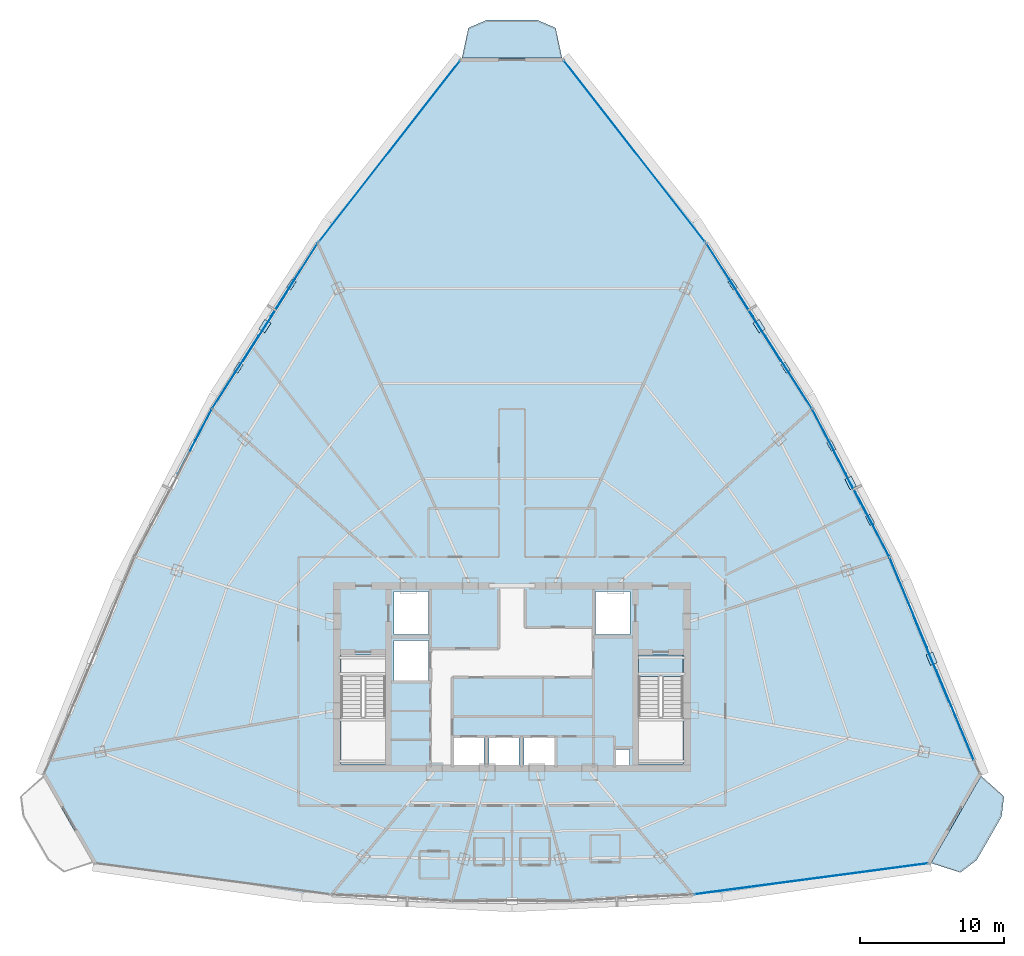
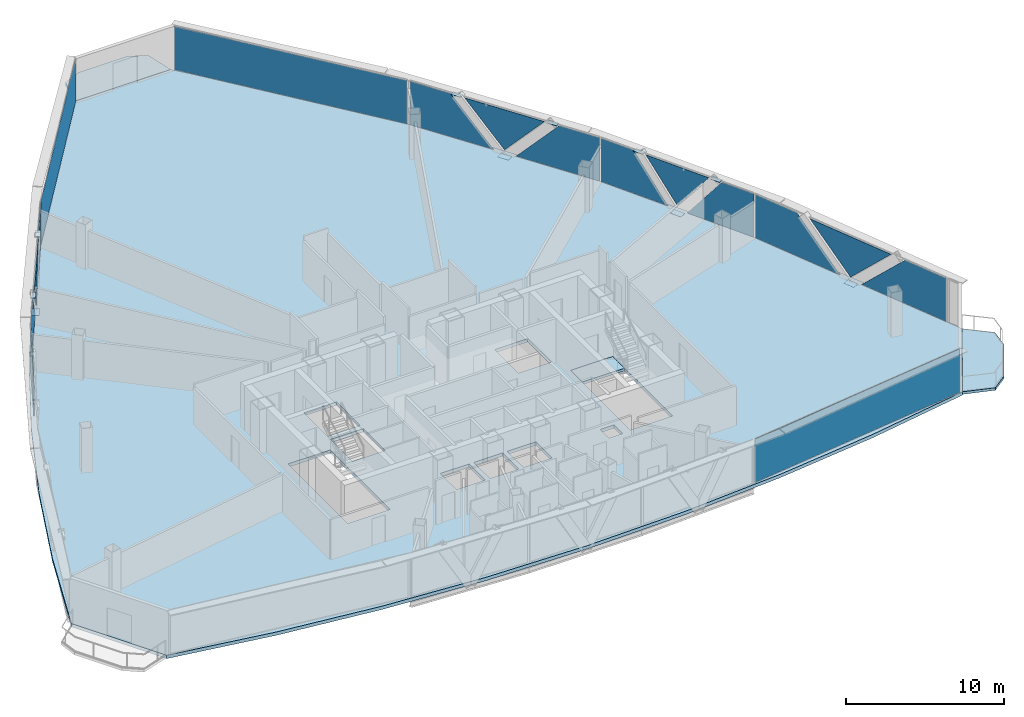
# One storey, part 29 of 37: 26 plates, 4 slabs, 9 elements without a shape of their own.
"""IFC4 building model written with IfcOpenShell, lengths in metres."""

from ifc_helpers import new_model, si_unit, direction, frame, origin, origin_2d, place, context, subcontext, project, spatial, polyline, rectangle, outline, extrude, source, transform, mapped, material, layer, layer_set, type_object, element, aggregate, save


model = new_model("IFC4")

# Units and contexts
model_context = context("Model", 3, precision=1e-05, world=origin(), true_north=direction((0.0, 1.0)))
body_context = subcontext(model_context, "Body", "Model", "MODEL_VIEW")
ifc_project = project(units=[si_unit("LENGTHUNIT", "METRE"), si_unit("AREAUNIT", "SQUARE_METRE"), si_unit("VOLUMEUNIT", "CUBIC_METRE"), si_unit("PLANEANGLEUNIT", "RADIAN"), si_unit("MASSUNIT", "GRAM", prefix="KILO"), si_unit("THERMODYNAMICTEMPERATUREUNIT", "KELVIN"), si_unit("POWERUNIT", "WATT")], contexts=[model_context])

# Site, building, storey
site_placement = place(None, origin())
site = spatial("IfcSite", under=ifc_project, at=site_placement, CompositionType="ELEMENT")
building_placement = place(site_placement, origin())
building = spatial("IfcBuilding", under=site, at=building_placement, Name="Yunzhuo Pagoda Commons", CompositionType="ELEMENT")
storey_placement = place(building_placement, frame((0.0, 0.0, 281.2900390625)))
storey = spatial("IfcBuildingStorey", under=building, at=storey_placement, Name="L70", CompositionType="ELEMENT", Elevation=281.2900390625)

# Curtain wall, plates
ifc_material_1 = material(Name="Anodized aluminium 6063-T6", Category="aluminium")
ifc_layer_1 = layer(ifc_material_1, 0.139892578125)
ifc_layer_set_1 = layer_set([ifc_layer_1], Name="Anodized aluminium 6063-T6")
curtain_wall_type = type_object("IfcCurtainWallType", Name="CW-HI High-Zone Ribbon Curtain Wall", PredefinedType="NOTDEFINED", material=ifc_layer_set_1)
curtain_wall_1_placement = place(storey_placement, origin())
curtain_wall_1 = element("IfcCurtainWall", 1, at=curtain_wall_1_placement, inside=storey, type_object=curtain_wall_type, Name="L70 curtain wall CW-L70-F2B2", PredefinedType="NOTDEFINED")
ifc_material_2 = material(Name="Tempered low-e double glazing", Category="glass")
ifc_layer_2 = layer(ifc_material_2, 0.02587890625)
ifc_layer_set_2 = layer_set([ifc_layer_2], Name="Tempered low-e double glazing")
plate_type_1 = type_object("IfcPlateType", Name="CW-HI-P Low-E Double Glazing 26", PredefinedType="CURTAIN_PANEL", material=ifc_layer_set_2)
plate_1_placement = place(storey_placement, frame((78.817138671875, 31.200927734375, 1.73486328125), z_axis=(0.923393531316, 0.383854642182, 0.0), x_axis=(-0.383854642182, 0.923393531316, 0.0)))
plate_1 = element("IfcPlate", 2, at=plate_1_placement, type_object=plate_type_1, Name="CW panel 1.1 lite 1", PredefinedType="CURTAIN_PANEL", context=body_context, shape_type="SweptSolid", body=[
    extrude(outline(polyline([(-3.378662109375, -1.679931640625), (3.378662109375, -1.679931640625), (-0.083740234375, 1.679931640625), (-3.378662109375, 1.679931640625), (-3.378662109375, -1.679931640625)])), origin(), (0.0, 0.0, 1.0), 0.028076171875),
])
plate_2_placement = place(storey_placement, frame((77.158447265625, 35.113037109375, 1.842041015625), z_axis=(0.923393531316, 0.383854642182, 0.0), x_axis=(-0.383854642182, 0.923393531316, 0.0)))
plate_2 = element("IfcPlate", 3, at=plate_2_placement, type_object=plate_type_1, Name="CW panel 1.1 lite 2", PredefinedType="CURTAIN_PANEL", context=body_context, shape_type="SweptSolid", body=[
    extrude(outline(polyline([(-3.241455078125, 1.57275390625), (0.0, -1.57275390625), (3.241455078125, 1.57275390625), (-3.241455078125, 1.57275390625)])), origin(), (0.0, 0.0, 1.0), 0.028076171875),
])
plate_3_placement = place(storey_placement, frame((75.555419921875, 39.0478515625, 1.73486328125), z_axis=(0.923393531316, 0.383854642182, 0.0), x_axis=(-0.383854642182, 0.923393531316, 0.0)))
plate_3 = element("IfcPlate", 4, at=plate_3_placement, type_object=plate_type_1, Name="CW panel 1.1 lite 3", PredefinedType="CURTAIN_PANEL", context=body_context, shape_type="SweptSolid", body=[
    extrude(outline(polyline([(-3.378662109375, -1.679931640625), (3.37890625, -1.679931640625), (3.37890625, 1.679931640625), (0.083740234375, 1.679931640625), (-3.378662109375, -1.679931640625)])), origin(), (0.0, 0.0, 1.0), 0.028076171875),
])
aggregate(curtain_wall_1, [plate_1, plate_2, plate_3])

curtain_wall_2_placement = place(storey_placement, origin())
curtain_wall_2 = element("IfcCurtainWall", 5, at=curtain_wall_2_placement, inside=storey, type_object=curtain_wall_type, Name="L70 curtain wall CW-L70-F2B3", PredefinedType="NOTDEFINED")
plate_4_placement = place(storey_placement, frame((73.048583984375, 44.495361328125, 1.73486328125), z_axis=(0.886404488049, 0.462911528876, 0.0), x_axis=(-0.462911528876, 0.886404488049, 0.0)))
plate_4 = element("IfcPlate", 6, at=plate_4_placement, type_object=plate_type_1, Name="CW panel 1.1 lite 1", PredefinedType="CURTAIN_PANEL", context=body_context, shape_type="SweptSolid", body=[
    extrude(outline(polyline([(-2.5048828125, -1.679931640625), (2.5048828125, -1.679931640625), (-0.10546875, 1.679931640625), (-2.5048828125, 1.679931640625), (-2.5048828125, -1.679931640625)])), origin(), (0.0, 0.0, 1.0), 0.028076171875),
])
plate_5_placement = place(storey_placement, frame((71.5263671875, 47.34521484375, 1.88720703125), z_axis=(0.886404488049, 0.462911528876, 0.0), x_axis=(-0.462911528876, 0.886404488049, 0.0)))
plate_5 = element("IfcPlate", 7, at=plate_5_placement, type_object=plate_type_1, Name="CW panel 1.1 lite 2", PredefinedType="CURTAIN_PANEL", context=body_context, shape_type="SweptSolid", body=[
    extrude(outline(polyline([(-2.373779296875, 1.52783203125), (0.0, -1.52783203125), (2.373779296875, 1.52783203125), (-2.373779296875, 1.52783203125)])), origin(), (0.0, 0.0, 1.0), 0.028076171875),
])
plate_6_placement = place(storey_placement, frame((70.0576171875, 50.222900390625, 1.73486328125), z_axis=(0.886404488049, 0.462911528876, 0.0), x_axis=(-0.462911528876, 0.886404488049, 0.0)))
plate_6 = element("IfcPlate", 8, at=plate_6_placement, type_object=plate_type_1, Name="CW panel 1.1 lite 3", PredefinedType="CURTAIN_PANEL", context=body_context, shape_type="SweptSolid", body=[
    extrude(outline(polyline([(-2.5048828125, -1.679931640625), (2.5048828125, -1.679931640625), (2.5048828125, 1.679931640625), (0.10546875, 1.679931640625), (-2.5048828125, -1.679931640625)])), origin(), (0.0, 0.0, 1.0), 0.028076171875),
])
aggregate(curtain_wall_2, [plate_4, plate_5, plate_6])

curtain_wall_3_placement = place(storey_placement, origin())
curtain_wall_3 = element("IfcCurtainWall", 9, at=curtain_wall_3_placement, inside=storey, type_object=curtain_wall_type, Name="L70 curtain wall CW-L70-F2B4", PredefinedType="NOTDEFINED")
plate_7_placement = place(storey_placement, frame((67.228515625, 55.067138671875, 1.73486328125), z_axis=(0.842779157761, 0.538259501768, 0.0), x_axis=(-0.538259501768, 0.842779157761, 0.0)))
plate_7 = element("IfcPlate", 10, at=plate_7_placement, type_object=plate_type_1, Name="CW panel 1.1 lite 1", PredefinedType="CURTAIN_PANEL", context=body_context, shape_type="SweptSolid", body=[
    extrude(outline(polyline([(-2.991455078125, -1.679931640625), (2.991455078125, -1.679931640625), (-0.0927734375, 1.679931640625), (-2.991455078125, 1.679931640625), (-2.991455078125, -1.679931640625)])), origin(), (0.0, 0.0, 1.0), 0.028076171875),
])
plate_8_placement = place(storey_placement, frame((65.15966796875, 58.25048828125, 1.8583984375), z_axis=(0.842779157761, 0.538259501768, 0.0), x_axis=(-0.538259501768, 0.842779157761, 0.0)))
plate_8 = element("IfcPlate", 11, at=plate_8_placement, type_object=plate_type_1, Name="CW panel 1.1 lite 2", PredefinedType="CURTAIN_PANEL", context=body_context, shape_type="SweptSolid", body=[
    extrude(outline(polyline([(-2.857666015625, 1.556396484375), (0.0, -1.556640625), (2.857666015625, 1.556396484375), (-2.857666015625, 1.556396484375)])), origin(), (0.0, 0.0, 1.0), 0.028076171875),
])
plate_9_placement = place(storey_placement, frame((63.1416015625, 61.46630859375, 1.73486328125), z_axis=(0.842779157761, 0.538259501768, 0.0), x_axis=(-0.538259501768, 0.842779157761, 0.0)))
plate_9 = element("IfcPlate", 12, at=plate_9_placement, type_object=plate_type_1, Name="CW panel 1.1 lite 3", PredefinedType="CURTAIN_PANEL", context=body_context, shape_type="SweptSolid", body=[
    extrude(outline(polyline([(-2.99169921875, -1.679931640625), (2.99169921875, -1.679931640625), (2.99169921875, 1.679931640625), (0.0927734375, 1.679931640625), (-2.99169921875, -1.679931640625)])), origin(), (0.0, 0.0, 1.0), 0.028076171875),
])
aggregate(curtain_wall_3, [plate_7, plate_8, plate_9])

curtain_wall_4_placement = place(storey_placement, origin())
curtain_wall_4 = element("IfcCurtainWall", 13, at=curtain_wall_4_placement, inside=storey, type_object=curtain_wall_type, Name="L70 curtain wall CW-L70-F3B2", PredefinedType="NOTDEFINED")
plate_10_placement = place(storey_placement, frame((32.8583984375, 61.46630859375, 1.73486328125), z_axis=(-0.842779157761, 0.538259501768, 0.0), x_axis=(-0.538259501768, -0.842779157761, 0.0)))
plate_10 = element("IfcPlate", 14, at=plate_10_placement, type_object=plate_type_1, Name="CW panel 1.1 lite 1", PredefinedType="CURTAIN_PANEL", context=body_context, shape_type="SweptSolid", body=[
    extrude(outline(polyline([(-2.99169921875, -1.679931640625), (2.99169921875, -1.679931640625), (-0.0927734375, 1.679931640625), (-2.99169921875, 1.679931640625), (-2.99169921875, -1.679931640625)])), origin(), (0.0, 0.0, 1.0), 0.028076171875),
])
plate_11_placement = place(storey_placement, frame((30.84033203125, 58.25048828125, 1.8583984375), z_axis=(-0.842779157761, 0.538259501768, 0.0), x_axis=(-0.538259501768, -0.842779157761, 0.0)))
plate_11 = element("IfcPlate", 15, at=plate_11_placement, type_object=plate_type_1, Name="CW panel 1.1 lite 2", PredefinedType="CURTAIN_PANEL", context=body_context, shape_type="SweptSolid", body=[
    extrude(outline(polyline([(-2.857666015625, 1.556396484375), (0.0, -1.556640625), (2.857666015625, 1.556396484375), (-2.857666015625, 1.556396484375)])), origin(), (0.0, 0.0, 1.0), 0.028076171875),
])
plate_12_placement = place(storey_placement, frame((28.771484375, 55.067138671875, 1.73486328125), z_axis=(-0.842779157761, 0.538259501768, 0.0), x_axis=(-0.538259501768, -0.842779157761, 0.0)))
plate_12 = element("IfcPlate", 16, at=plate_12_placement, type_object=plate_type_1, Name="CW panel 1.1 lite 3", PredefinedType="CURTAIN_PANEL", context=body_context, shape_type="SweptSolid", body=[
    extrude(outline(polyline([(-2.991455078125, -1.679931640625), (2.991455078125, -1.679931640625), (2.991455078125, 1.679931640625), (0.0927734375, 1.679931640625), (-2.991455078125, -1.679931640625)])), origin(), (0.0, 0.0, 1.0), 0.028076171875),
])
aggregate(curtain_wall_4, [plate_10, plate_11, plate_12])

# Curtain wall, plate
curtain_wall_5_placement = place(storey_placement, origin())
curtain_wall_5 = element("IfcCurtainWall", 17, at=curtain_wall_5_placement, inside=storey, type_object=curtain_wall_type, Name="L70 curtain wall CW-L70-F3B3", PredefinedType="NOTDEFINED")
plate_13_placement = place(storey_placement, frame((25.9423828125, 50.222900390625, 1.73486328125), z_axis=(-0.886404488049, 0.462911528876, 0.0), x_axis=(-0.462911528876, -0.886404488049, 0.0)))
plate_13 = element("IfcPlate", 18, at=plate_13_placement, type_object=plate_type_1, Name="CW panel 1.1 lite 1", PredefinedType="CURTAIN_PANEL", context=body_context, shape_type="SweptSolid", body=[
    extrude(outline(polyline([(-2.5048828125, -1.679931640625), (2.5048828125, -1.679931640625), (-0.10546875, 1.679931640625), (-2.5048828125, 1.679931640625), (-2.5048828125, -1.679931640625)])), origin(), (0.0, 0.0, 1.0), 0.028076171875),
])
aggregate(curtain_wall_5, [plate_13])

# Slabs
ifc_material_3 = material(Name="Concrete C40", Category="concrete")
ifc_layer_3 = layer(ifc_material_3, 0.199951171875)
ifc_layer_set_3 = layer_set([ifc_layer_3], Name="Concrete C40")
slab_type_1 = type_object("IfcSlabType", Name="SL-BAL Vertex Balcony Deck Slab 200", PredefinedType="FLOOR", material=ifc_layer_set_3)
slab_1_placement = place(storey_placement, frame((0.0, 0.0, -0.199951171875)))
element("IfcSlab", 19, at=slab_1_placement, inside=storey, type_object=slab_type_1, Name="L70 corner balcony V2", PredefinedType="FLOOR", context=body_context, shape_type="SweptSolid", body=[
    extrude(outline(polyline([(77.158203125, 20.912109375), (80.640380859375, 26.976806640625), (82.233154296875, 25.54345703125), (82.063720703125, 24.1435546875), (80.322509765625, 21.111328125), (79.198974609375, 20.25927734375), (77.158203125, 20.912109375)])), origin(), (0.0, 0.0, 1.0), 0.199951171875),
])
slab_2_placement = place(storey_placement, frame((0.0, 0.0, -0.199951171875)))
element("IfcSlab", 20, at=slab_2_placement, inside=storey, type_object=slab_type_1, Name="L70 corner balcony V3", PredefinedType="FLOOR", context=body_context, shape_type="SweptSolid", body=[
    extrude(outline(polyline([(51.482177734375, 76.927978515625), (44.517822265625, 76.927978515625), (44.9677734375, 79.02294921875), (46.2587890625, 79.572998046875), (49.7412109375, 79.572998046875), (51.0322265625, 79.02294921875), (51.482177734375, 76.927978515625)])), origin(), (0.0, 0.0, 1.0), 0.199951171875),
])

# Stair, slab
stair_type = type_object("IfcStairType", Name="ST-C2 Core Smokeproof Stair ST2", PredefinedType="HALF_TURN_STAIR", material=ifc_material_3)
stair_placement = place(storey_placement, origin())
stair = element("IfcStair", 21, at=stair_placement, inside=storey, type_object=stair_type, Name="L70 Core smokeproof stair ST2", PredefinedType="HALF_TURN_STAIR")
ifc_layer_4 = layer(ifc_material_3, 0.201904296875)
ifc_layer_set_4 = layer_set([ifc_layer_4], Name="Concrete C40")
slab_type_2 = type_object("IfcSlabType", Name="SL-LND2 Stair Landing Slab 202", PredefinedType="LANDING", material=ifc_layer_set_4)
slab_3_placement = place(storey_placement, frame((0.0, 0.0, -0.199951171875)))
slab_3 = element("IfcSlab", 22, at=slab_3_placement, type_object=slab_type_2, Name="ST2 floor landing L70", PredefinedType="LANDING", context=body_context, shape_type="SweptSolid", body=[
    extrude(outline(polyline([(56.800048828125, 35.39990234375), (56.800048828125, 33.89990234375), (59.89990234375, 33.89990234375), (59.89990234375, 35.39990234375), (56.800048828125, 35.39990234375)])), origin(), (0.0, 0.0, 1.0), 0.199951171875),
])
aggregate(stair, [slab_3])

# Slab
ifc_layer_5 = layer(ifc_material_3, 0.260009765625)
ifc_layer_set_5 = layer_set([ifc_layer_5], Name="Concrete C40")
slab_type_3 = type_object("IfcSlabType", Name="SL-TWR Typical Tower Floor Slab 260", PredefinedType="FLOOR", material=ifc_layer_set_5)
slab_4_placement = place(storey_placement, frame((0.0, 0.0, -0.260009765625)))
element("IfcSlab", 23, at=slab_4_placement, inside=storey, type_object=slab_type_3, Name="L70 structural floor slab", PredefinedType="FLOOR", context=body_context, shape_type="SweptSolid", body=[
    extrude(outline(polyline([(17.936279296875, 33.847900390625), (20.814697265625, 40.5380859375), (23.99951171875, 47.049072265625), (27.490478515625, 53.381591796875), (31.287841796875, 59.534912109375), (35.3916015625, 65.509765625), (39.801513671875, 71.3056640625), (44.517822265625, 76.9228515625), (51.482177734375, 76.9228515625), (56.198486328125, 71.3056640625), (60.6083984375, 65.509765625), (64.712158203125, 59.534912109375), (68.509521484375, 53.381591796875), (72.00048828125, 47.049072265625), (75.185302734375, 40.5380859375), (78.063720703125, 33.847900390625), (80.635986328125, 26.979248046875), (77.15380859375, 20.91455078125), (69.865478515625, 19.67333984375), (62.576904296875, 18.78662109375), (55.288330078125, 18.254638671875), (48.0, 18.077392578125), (40.711669921875, 18.254638671875), (33.423095703125, 18.78662109375), (26.134765625, 19.67333984375), (18.84619140625, 20.91455078125), (15.364013671875, 26.979248046875), (17.936279296875, 33.847900390625)]), holes=[polyline([(56.179931640625, 28.800048828125), (55.179931640625, 28.800048828125), (55.179931640625, 27.699951171875), (56.179931640625, 27.699951171875), (56.179931640625, 28.800048828125)]), polyline([(46.050048828125, 29.64990234375), (43.949951171875, 29.64990234375), (43.949951171875, 27.60009765625), (46.050048828125, 27.60009765625), (46.050048828125, 29.64990234375)]), polyline([(48.5, 29.64990234375), (46.39990234375, 29.64990234375), (46.39990234375, 27.60009765625), (48.5, 27.60009765625), (48.5, 29.64990234375)]), polyline([(50.949951171875, 29.64990234375), (48.85009765625, 29.64990234375), (48.85009765625, 27.60009765625), (50.949951171875, 27.60009765625), (50.949951171875, 29.64990234375)]), polyline([(39.199951171875, 27.800048828125), (39.199951171875, 35.39990234375), (36.10009765625, 35.39990234375), (36.10009765625, 27.800048828125), (39.199951171875, 27.800048828125)]), polyline([(59.89990234375, 27.800048828125), (59.89990234375, 35.39990234375), (56.800048828125, 35.39990234375), (56.800048828125, 27.800048828125), (59.89990234375, 27.800048828125)]), polyline([(42.199951171875, 36.39990234375), (39.800048828125, 36.39990234375), (39.800048828125, 33.60009765625), (42.199951171875, 33.60009765625), (42.199951171875, 36.39990234375)]), polyline([(42.199951171875, 36.800048828125), (42.199951171875, 39.800048828125), (39.800048828125, 39.800048828125), (39.800048828125, 36.800048828125), (42.199951171875, 36.800048828125)]), polyline([(56.199951171875, 36.800048828125), (56.199951171875, 39.800048828125), (53.800048828125, 39.800048828125), (53.800048828125, 36.800048828125), (56.199951171875, 36.800048828125)])]), origin(), (0.0, 0.0, 1.0), 0.260009765625),
])

# Plates
ifc_material_4 = material(Name="Structural steel Q355B", Category="steel")
ifc_layer_6 = layer(ifc_material_4, 0.028076171875)
ifc_layer_set_6 = layer_set([ifc_layer_6], Name="Structural steel Q355B")
plate_type_2 = type_object("IfcPlateType", Name="SP-ND1 Lattice Node Cap Plate 800x500x28", PredefinedType="USERDEFINED", material=ifc_layer_set_6)
shared_shape_1 = source(origin(), body_context, "Body", "SweptSolid", [
    extrude(rectangle(XDim=0.800048828125, YDim=0.5, at=origin_2d()), origin(), (0.0, 0.0, 1.0), 0.028076171875),
])
for number, where, z_axis, x_axis, name in (
    (24, (77.19921875, 35.1298828125, -0.27392578125), (0.0, 0.0, 1.0), (-0.383860227441, 0.923391209504, 0.0), "L70 diamond node plate F2.1A"),
    (25, (71.5654296875, 47.36572265625, -0.27392578125), (0.0, 0.0, 1.0), (-0.462909311772, 0.886405645895, 0.0), "L70 diamond node plate F2.2A"),
    (26, (65.19677734375, 58.274169921875, -0.27392578125), (0.0, 0.0, 1.0), (-0.538256059632, 0.842781356147, 0.0), "L70 diamond node plate F2.3A"),
    (27, (30.80322265625, 58.274169921875, -0.27392578125), (0.0, 0.0, 1.0), (-0.538256059632, -0.842781356147, 0.0), "L70 diamond node plate F3.1A"),
):
    element("IfcPlate", number, at=place(storey_placement, frame(where, z_axis=z_axis, x_axis=x_axis)), inside=storey, type_object=plate_type_2, Name=name, ObjectType="STIFFENER_PLATE", PredefinedType="USERDEFINED", context=body_context, shape_type="MappedRepresentation", body=[
        mapped(shared_shape_1, transform((0.0, 0.0, 0.0), scale=1.0)),
    ])
shared_shape_2 = source(origin(), body_context, "Body", "SweptSolid", [
    extrude(rectangle(XDim=0.699951171875, YDim=0.35009765625, at=origin_2d()), origin(), (0.0, 0.0, 1.0), 0.035888671875),
])
for number, where, z_axis, x_axis, name in (
    (28, (72.906982421875, 44.797119140625, 3.43212890625), (0.0, 0.0, 1.0), (-0.462909311772, 0.886405645895, 0.0), "L70 setback lattice tie plate F2.2L"),
    (29, (70.22412109375, 49.934326171875, 3.43212890625), (0.0, 0.0, 1.0), (-0.462909311772, 0.886405645895, 0.0), "L70 setback lattice tie plate F2.2R"),
    (30, (67.039794921875, 55.388671875, 3.43212890625), (0.0, 0.0, 1.0), (-0.538256059632, 0.842781356147, 0.0), "L70 setback lattice tie plate F2.3L"),
    (31, (63.353759765625, 61.159912109375, 3.43212890625), (0.0, 0.0, 1.0), (-0.538256059632, 0.842781356147, 0.0), "L70 setback lattice tie plate F2.3R"),
    (32, (32.646240234375, 61.159912109375, 3.43212890625), (0.0, 0.0, 1.0), (-0.538256059632, -0.842781356147, 0.0), "L70 setback lattice tie plate F3.1L"),
    (33, (28.960205078125, 55.388671875, 3.43212890625), (0.0, 0.0, 1.0), (-0.538256059632, -0.842781356147, 0.0), "L70 setback lattice tie plate F3.1R"),
):
    element("IfcPlate", number, at=place(storey_placement, frame(where, z_axis=z_axis, x_axis=x_axis)), inside=storey, type_object=plate_type_2, Name=name, ObjectType="STIFFENER_PLATE", PredefinedType="USERDEFINED", context=body_context, shape_type="MappedRepresentation", body=[
        mapped(shared_shape_2, transform((0.0, 0.0, 0.0), scale=1.0)),
    ])

# Curtain wall, plate
curtain_wall_6_placement = place(storey_placement, origin())
curtain_wall_6 = element("IfcCurtainWall", 34, at=curtain_wall_6_placement, inside=storey, type_object=curtain_wall_type, Name="L70 curtain wall CW-L70-F1B5", PredefinedType="NOTDEFINED")
shared_shape_3 = source(origin(), body_context, "Body", "SweptSolid", [
    extrude(rectangle(XDim=16.37353515625, YDim=0.028076171875, at=origin_2d()), origin(), (0.0, 0.0, 1.0), 3.360107421875),
])
plate_14_placement = place(storey_placement, frame((68.818359375, 19.81396484375, 0.0546875), z_axis=(0.0, 0.0, 1.0), x_axis=(0.991341168318, 0.131311416098, 0.0)))
plate_14 = element("IfcPlate", 35, at=plate_14_placement, type_object=plate_type_1, Name="CW panel 1.1", PredefinedType="CURTAIN_PANEL", context=body_context, shape_type="MappedRepresentation", body=[
    mapped(shared_shape_3, transform((0.0, 0.0, 0.0), scale=1.0)),
])
aggregate(curtain_wall_6, [plate_14])

curtain_wall_7_placement = place(storey_placement, origin())
curtain_wall_7 = element("IfcCurtainWall", 36, at=curtain_wall_7_placement, inside=storey, type_object=curtain_wall_type, Name="L70 curtain wall CW-L70-F2B5", PredefinedType="NOTDEFINED")
shared_shape_4 = source(origin(), body_context, "Body", "SweptSolid", [
    extrude(rectangle(XDim=15.965576171875, YDim=0.028076171875, at=origin_2d()), origin(), (0.0, 0.0, 1.0), 3.360107421875),
])
plate_15_placement = place(storey_placement, frame((56.52099609375, 70.44873046875, 0.0546875), z_axis=(0.0, 0.0, 1.0), x_axis=(-0.614671579353, 0.78878314481, 0.0)))
plate_15 = element("IfcPlate", 37, at=plate_15_placement, type_object=plate_type_1, Name="CW panel 1.1", PredefinedType="CURTAIN_PANEL", context=body_context, shape_type="MappedRepresentation", body=[
    mapped(shared_shape_4, transform((0.0, 0.0, 0.0), scale=1.0)),
])
aggregate(curtain_wall_7, [plate_15])

curtain_wall_8_placement = place(storey_placement, origin())
curtain_wall_8 = element("IfcCurtainWall", 38, at=curtain_wall_8_placement, inside=storey, type_object=curtain_wall_type, Name="L70 curtain wall CW-L70-F3B1", PredefinedType="NOTDEFINED")
plate_16_placement = place(storey_placement, frame((39.47900390625, 70.44873046875, 0.0546875), z_axis=(0.0, 0.0, 1.0), x_axis=(-0.614671579353, -0.78878314481, 0.0)))
plate_16 = element("IfcPlate", 39, at=plate_16_placement, type_object=plate_type_1, Name="CW panel 1.1", PredefinedType="CURTAIN_PANEL", context=body_context, shape_type="MappedRepresentation", body=[
    mapped(shared_shape_4, transform((0.0, 0.0, 0.0), scale=1.0)),
])
aggregate(curtain_wall_8, [plate_16])

save(model, "model.ifc")
